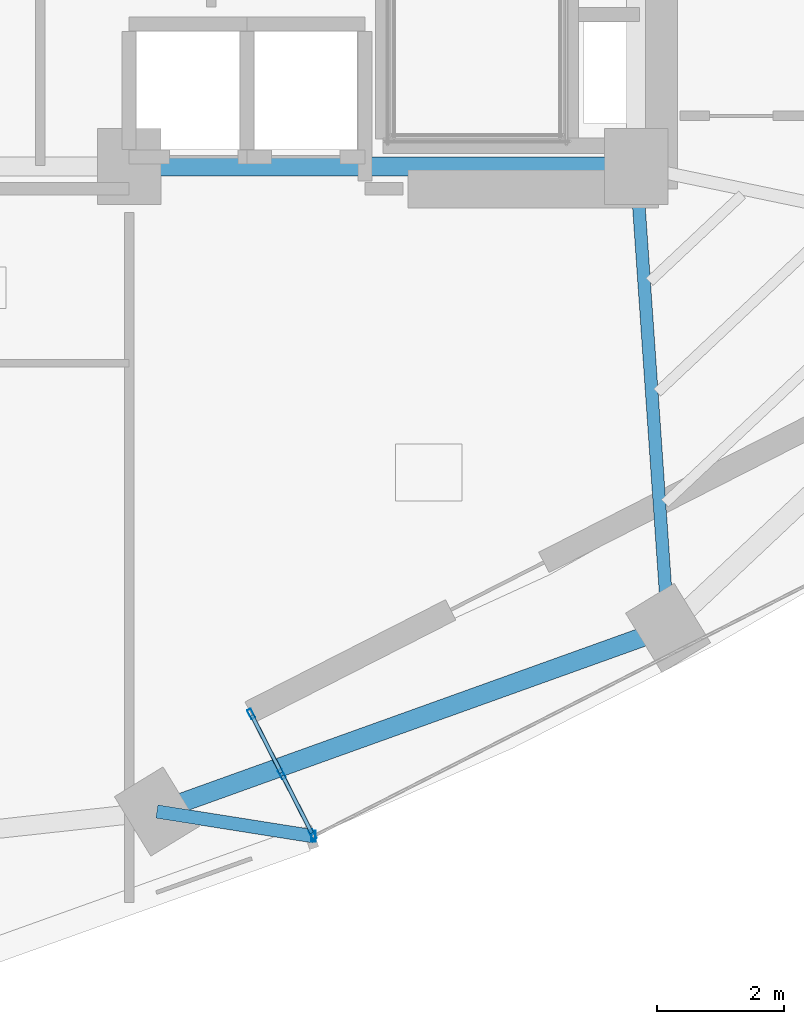
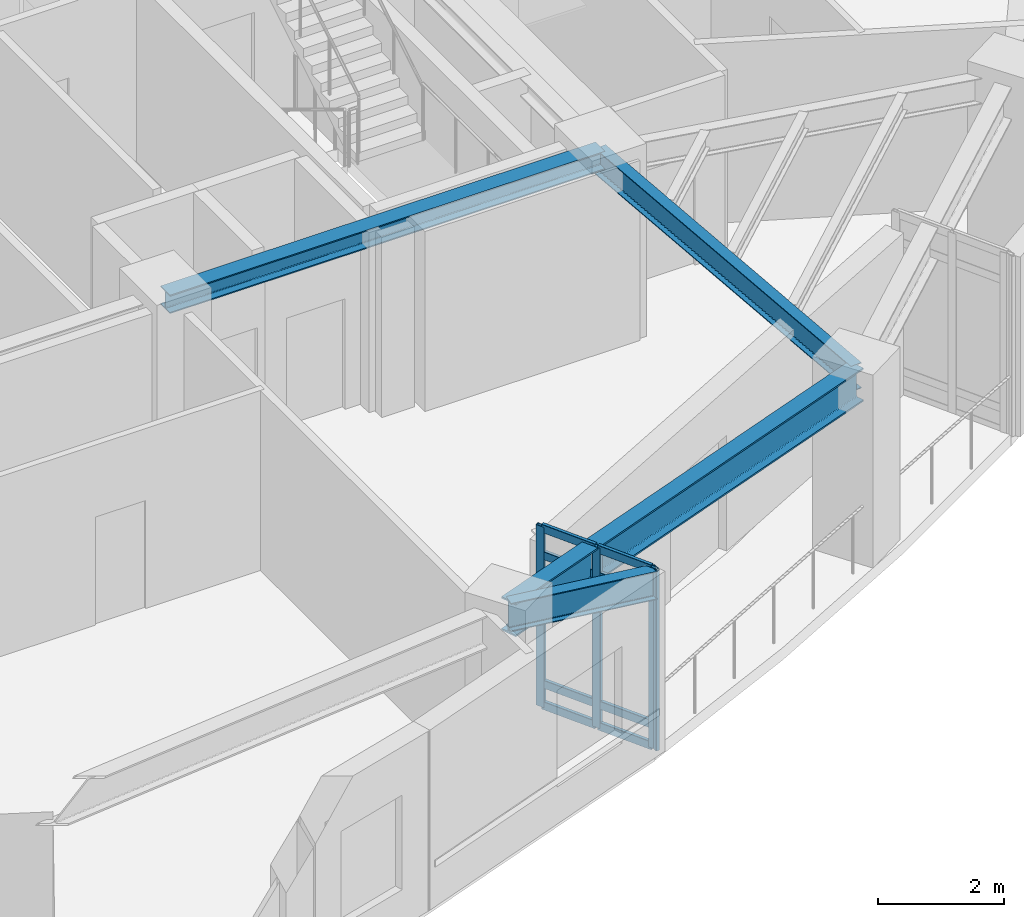
# One storey, part 2 of 11: 12 members, 4 beams, 1 element without a shape of its own.
"""IFC4 building model written with IfcOpenShell, lengths in metres."""

from ifc_helpers import new_model, si_unit, direction, frame, origin, origin_2d, place, context, subcontext, project, spatial, hollow_rectangle, i_section, extrude, material, layer, layer_set, material_profile, profile_set, type_object, element, aggregate, save


model = new_model("IFC4")

# Units and contexts
model_context = context("Model", 3, precision=1e-05, world=origin(), true_north=direction((0.0, 1.0)))
body_context = subcontext(model_context, "Body", "Model", "MODEL_VIEW")
ifc_project = project(units=[si_unit("LENGTHUNIT", "METRE"), si_unit("AREAUNIT", "SQUARE_METRE"), si_unit("VOLUMEUNIT", "CUBIC_METRE"), si_unit("PLANEANGLEUNIT", "RADIAN"), si_unit("MASSUNIT", "GRAM", prefix="KILO")], contexts=[model_context])

# Site, building, storey
site_placement = place(None, origin())
site = spatial("IfcSite", under=ifc_project, at=site_placement, CompositionType="ELEMENT")
building_placement = place(site_placement, origin())
building = spatial("IfcBuilding", under=site, at=building_placement, Name="Ndelora Gate Hotel", CompositionType="ELEMENT")
storey_placement = place(building_placement, frame((0.0, 0.0, 116.0)))
storey = spatial("IfcBuildingStorey", under=building, at=storey_placement, Name="L28", CompositionType="ELEMENT", Elevation=116.0)

# Beams
ifc_material_1 = material(Name="Steel S355", Category="steel")
ifc_material_profile_1 = material_profile(ifc_material_1, i_section(OverallWidth=0.300048828125, OverallDepth=0.360107421875, WebThickness=0.012451171875, FlangeThickness=0.0224609375, FilletRadius=0.027099609375, at=origin_2d()), Name="HEB 360")
ifc_profile_set_1 = profile_set([ifc_material_profile_1], Name="Steel S355")
beam_type_1 = type_object("IfcBeamType", Name="BM-CORE-360", PredefinedType="BEAM", material=ifc_profile_set_1)
beam_1_placement = place(storey_placement, frame((0.0, -6.60009765625, 3.320068359375), z_axis=(1.0, 0.0, 0.0), x_axis=(0.0, 1.0, 0.0)))
element("IfcBeam", 1, at=beam_1_placement, inside=storey, type_object=beam_type_1, Name="L28 Core Tie Girder CC2-CC3", PredefinedType="BEAM", context=body_context, shape_type="SweptSolid", body=[
    extrude(i_section(OverallWidth=0.300048828125, OverallDepth=0.360107421875, WebThickness=0.012451171875, FlangeThickness=0.0224609375, FilletRadius=0.027099609375, at=origin_2d()), origin(), (0.0, 0.0, 1.0), 8.0),
])
ifc_material_profile_2 = material_profile(ifc_material_1, i_section(OverallWidth=0.199951171875, OverallDepth=0.5, WebThickness=0.01025390625, FlangeThickness=0.01611328125, FilletRadius=0.02099609375, at=origin_2d()), Name="IPE 500")
ifc_profile_set_2 = profile_set([ifc_material_profile_2], Name="Steel S355")
beam_type_2 = type_object("IfcBeamType", Name="BM-RAD-500", PredefinedType="BEAM", material=ifc_profile_set_2)
beam_2_placement = place(storey_placement, frame((8.0, -6.60009765625, 3.25), z_axis=(0.069137444551, -0.997607144001, 0.0), x_axis=(0.997607144001, 0.069137444551, 0.0)))
element("IfcBeam", 2, at=beam_2_placement, inside=storey, type_object=beam_type_2, Name="L28 Radial Floor Girder 7", PredefinedType="BEAM", context=body_context, shape_type="SweptSolid", body=[
    extrude(i_section(OverallWidth=0.199951171875, OverallDepth=0.5, WebThickness=0.01025390625, FlangeThickness=0.01611328125, FilletRadius=0.02099609375, at=origin_2d()), origin(), (0.0, 0.0, 1.0), 7.295654296875),
])
ifc_material_profile_3 = material_profile(ifc_material_1, i_section(OverallWidth=0.2099609375, OverallDepth=0.550048828125, WebThickness=0.010986328125, FlangeThickness=0.01708984375, FilletRadius=0.02392578125, at=origin_2d()), Name="IPE 550")
ifc_profile_set_3 = profile_set([ifc_material_profile_3], Name="Steel S355")
beam_type_3 = type_object("IfcBeamType", Name="BM-RAD-550", PredefinedType="BEAM", material=ifc_profile_set_3)
beam_3_placement = place(storey_placement, frame((0.439208984375, -16.7744140625, 3.22509765625), z_axis=(0.987718613868, -0.156243207272, 0.0), x_axis=(0.156243207272, 0.987718613868, 0.0)))
element("IfcBeam", 3, at=beam_3_placement, inside=storey, type_object=beam_type_3, Name="L28 Sky-Garden Loggia Column Bracket 1", PredefinedType="BEAM", context=body_context, shape_type="SweptSolid", body=[
    extrude(i_section(OverallWidth=0.2099609375, OverallDepth=0.550048828125, WebThickness=0.010986328125, FlangeThickness=0.01708984375, FilletRadius=0.02392578125, at=origin_2d()), origin(), (0.0, 0.0, 1.0), 2.501708984375),
])
ifc_material_profile_4 = material_profile(ifc_material_1, i_section(OverallWidth=0.300048828125, OverallDepth=0.64990234375, WebThickness=0.01611328125, FlangeThickness=0.031005859375, FilletRadius=0.027099609375, at=origin_2d()), Name="HEB 650")
ifc_profile_set_4 = profile_set([ifc_material_profile_4], Name="Steel S355")
beam_type_4 = type_object("IfcBeamType", Name="BM-RING-650", PredefinedType="SPANDREL", material=ifc_profile_set_4)
beam_4_placement = place(storey_placement, frame((0.439208984375, -16.7744140625, 3.175048828125), z_axis=(0.941155870835, 0.337972819607, 0.0), x_axis=(-0.337972819607, 0.941155870835, 0.0)))
element("IfcBeam", 4, at=beam_4_placement, inside=storey, type_object=beam_type_4, Name="L28 Perimeter Spandrel Girder 6", PredefinedType="SPANDREL", context=body_context, shape_type="SweptSolid", body=[
    extrude(i_section(OverallWidth=0.300048828125, OverallDepth=0.64990234375, WebThickness=0.01611328125, FlangeThickness=0.031005859375, FilletRadius=0.027099609375, at=origin_2d()), origin(), (0.0, 0.0, 1.0), 8.5693359375),
])

# Curtain wall, members
ifc_material_2 = material(Name="Bronze Anodised Unitised Aluminium and Low-E Glass", Category="aluminium")
ifc_layer = layer(ifc_material_2, 0.199951171875)
ifc_layer_set = layer_set([ifc_layer], Name="Bronze Anodised Unitised Aluminium and Low-E Glass")
curtain_wall_type = type_object("IfcCurtainWallType", Name="CW-SYS-3", PredefinedType="NOTDEFINED", material=ifc_layer_set)
curtain_wall_placement = place(storey_placement, origin())
curtain_wall = element("IfcCurtainWall", 5, at=curtain_wall_placement, inside=storey, type_object=curtain_wall_type, Name="L28 Sky-Garden Loggia Side Curtain Wall CW3-1", PredefinedType="NOTDEFINED")
ifc_material_3 = material(Name="Bronze Anodised Aluminium 6063-T6", Category="aluminium")
ifc_material_profile_5 = material_profile(ifc_material_3, hollow_rectangle(XDim=0.06494140625, YDim=0.159912109375, WallThickness=0.00390625, InnerFilletRadius=0.00390625, OuterFilletRadius=0.008056640625, at=origin_2d()), Name="ALU 160x65x4")
ifc_profile_set_5 = profile_set([ifc_material_profile_5], Name="Bronze Anodised Aluminium 6063-T6")
member_type_1 = type_object("IfcMemberType", Name="MB-CW-MUL150", PredefinedType="MULLION", material=ifc_profile_set_5)
member_1_placement = place(storey_placement, frame((1.926025390625, -15.234130859375, -0.00390625), z_axis=(0.0, 0.0, 1.0), x_axis=(0.891001336507, 0.454000680995, 0.0)))
member_1 = element("IfcMember", 6, at=member_1_placement, type_object=member_type_1, Name="CW3 mullion 1", PredefinedType="MULLION", context=body_context, shape_type="SweptSolid", body=[
    extrude(hollow_rectangle(XDim=0.06494140625, YDim=0.159912109375, WallThickness=0.00390625, InnerFilletRadius=0.00390625, OuterFilletRadius=0.008056640625, at=origin_2d()), origin(), (0.0, 0.0, 1.0), 3.5078125),
])
member_2_placement = place(storey_placement, frame((2.41064453125, -16.185302734375, -0.00390625), z_axis=(0.0, 0.0, 1.0), x_axis=(0.891001336507, 0.454000680995, 0.0)))
member_2 = element("IfcMember", 7, at=member_2_placement, type_object=member_type_1, Name="CW3 mullion 2", PredefinedType="MULLION", context=body_context, shape_type="SweptSolid", body=[
    extrude(hollow_rectangle(XDim=0.06494140625, YDim=0.159912109375, WallThickness=0.00390625, InnerFilletRadius=0.00390625, OuterFilletRadius=0.008056640625, at=origin_2d()), origin(), (0.0, 0.0, 1.0), 3.5078125),
])
member_3_placement = place(storey_placement, frame((2.895263671875, -17.136474609375, -0.00390625), z_axis=(0.0, 0.0, 1.0), x_axis=(0.891001336507, 0.454000680995, 0.0)))
member_3 = element("IfcMember", 8, at=member_3_placement, type_object=member_type_1, Name="CW3 mullion 3", PredefinedType="MULLION", context=body_context, shape_type="SweptSolid", body=[
    extrude(hollow_rectangle(XDim=0.06494140625, YDim=0.159912109375, WallThickness=0.00390625, InnerFilletRadius=0.00390625, OuterFilletRadius=0.008056640625, at=origin_2d()), origin(), (0.0, 0.0, 1.0), 3.5078125),
])
ifc_material_profile_6 = material_profile(ifc_material_3, hollow_rectangle(XDim=0.070068359375, YDim=0.179931640625, WallThickness=0.0048828125, InnerFilletRadius=0.0048828125, OuterFilletRadius=0.010009765625, at=origin_2d()), Name="ALU 180x70x5")
ifc_profile_set_6 = profile_set([ifc_material_profile_6], Name="Bronze Anodised Aluminium 6063-T6")
member_type_2 = type_object("IfcMemberType", Name="MB-CW-MUL180", PredefinedType="MULLION", material=ifc_profile_set_6)
member_4_placement = place(storey_placement, frame((2.91015625, -17.165283203125, 0.0), z_axis=(0.0, 0.0, 1.0), x_axis=(1.0, 0.0, 0.0)))
member_4 = element("IfcMember", 9, at=member_4_placement, type_object=member_type_2, Name="L28 Sky-Garden Loggia Corner Mullion Post 1", PredefinedType="MULLION", context=body_context, shape_type="SweptSolid", body=[
    extrude(hollow_rectangle(XDim=0.070068359375, YDim=0.179931640625, WallThickness=0.0048828125, InnerFilletRadius=0.0048828125, OuterFilletRadius=0.010009765625, at=origin_2d()), origin(), (0.0, 0.0, 1.0), 3.5),
])
ifc_material_profile_7 = material_profile(ifc_material_3, hollow_rectangle(XDim=0.06494140625, YDim=0.159912109375, WallThickness=0.00390625, InnerFilletRadius=0.00390625, OuterFilletRadius=0.008056640625, at=origin_2d()), Name="ALU 160x65x4")
ifc_profile_set_7 = profile_set([ifc_material_profile_7], Name="Bronze Anodised Aluminium 6063-T6")
member_type_3 = type_object("IfcMemberType", Name="MB-CW-TRN150", PredefinedType="USERDEFINED", material=ifc_profile_set_7)
member_5_placement = place(storey_placement, frame((1.93798828125, -15.2578125, 0.032470703125), z_axis=(0.454131264886, -0.890934786756, 0.0), x_axis=(0.890934786756, 0.454131264886, 0.0)))
member_5 = element("IfcMember", 10, at=member_5_placement, type_object=member_type_3, Name="CW3 transom 1.1", ObjectType="TRANSOM", PredefinedType="USERDEFINED", context=body_context, shape_type="SweptSolid", body=[
    extrude(hollow_rectangle(XDim=0.06494140625, YDim=0.159912109375, WallThickness=0.00390625, InnerFilletRadius=0.00390625, OuterFilletRadius=0.008056640625, at=origin_2d()), origin(), (0.0, 0.0, 1.0), 1.014404296875),
])
member_6_placement = place(storey_placement, frame((1.93798828125, -15.2578125, 0.449951171875), z_axis=(0.454131264886, -0.890934786756, 0.0), x_axis=(0.890934786756, 0.454131264886, 0.0)))
member_6 = element("IfcMember", 11, at=member_6_placement, type_object=member_type_3, Name="CW3 transom 1.2", ObjectType="TRANSOM", PredefinedType="USERDEFINED", context=body_context, shape_type="SweptSolid", body=[
    extrude(hollow_rectangle(XDim=0.06494140625, YDim=0.159912109375, WallThickness=0.00390625, InnerFilletRadius=0.00390625, OuterFilletRadius=0.008056640625, at=origin_2d()), origin(), (0.0, 0.0, 1.0), 1.014404296875),
])
member_7_placement = place(storey_placement, frame((1.93798828125, -15.2578125, 2.949951171875), z_axis=(0.454131264886, -0.890934786756, 0.0), x_axis=(0.890934786756, 0.454131264886, 0.0)))
member_7 = element("IfcMember", 12, at=member_7_placement, type_object=member_type_3, Name="CW3 transom 1.3", ObjectType="TRANSOM", PredefinedType="USERDEFINED", context=body_context, shape_type="SweptSolid", body=[
    extrude(hollow_rectangle(XDim=0.06494140625, YDim=0.159912109375, WallThickness=0.00390625, InnerFilletRadius=0.00390625, OuterFilletRadius=0.008056640625, at=origin_2d()), origin(), (0.0, 0.0, 1.0), 1.014404296875),
])
member_8_placement = place(storey_placement, frame((1.93798828125, -15.2578125, 3.467529296875), z_axis=(0.454131264886, -0.890934786756, 0.0), x_axis=(0.890934786756, 0.454131264886, 0.0)))
member_8 = element("IfcMember", 13, at=member_8_placement, type_object=member_type_3, Name="CW3 transom 1.4", ObjectType="TRANSOM", PredefinedType="USERDEFINED", context=body_context, shape_type="SweptSolid", body=[
    extrude(hollow_rectangle(XDim=0.06494140625, YDim=0.159912109375, WallThickness=0.00390625, InnerFilletRadius=0.00390625, OuterFilletRadius=0.008056640625, at=origin_2d()), origin(), (0.0, 0.0, 1.0), 1.014404296875),
])
member_9_placement = place(storey_placement, frame((2.4228515625, -16.208984375, 0.032470703125), z_axis=(0.453940203675, -0.891032149525, 0.0), x_axis=(0.891032149525, 0.453940203675, 0.0)))
member_9 = element("IfcMember", 14, at=member_9_placement, type_object=member_type_3, Name="CW3 transom 2.1", ObjectType="TRANSOM", PredefinedType="USERDEFINED", context=body_context, shape_type="SweptSolid", body=[
    extrude(hollow_rectangle(XDim=0.06494140625, YDim=0.159912109375, WallThickness=0.00390625, InnerFilletRadius=0.00390625, OuterFilletRadius=0.008056640625, at=origin_2d()), origin(), (0.0, 0.0, 1.0), 1.014404296875),
])
member_10_placement = place(storey_placement, frame((2.4228515625, -16.208984375, 0.449951171875), z_axis=(0.453940203675, -0.891032149525, 0.0), x_axis=(0.891032149525, 0.453940203675, 0.0)))
member_10 = element("IfcMember", 15, at=member_10_placement, type_object=member_type_3, Name="CW3 transom 2.2", ObjectType="TRANSOM", PredefinedType="USERDEFINED", context=body_context, shape_type="SweptSolid", body=[
    extrude(hollow_rectangle(XDim=0.06494140625, YDim=0.159912109375, WallThickness=0.00390625, InnerFilletRadius=0.00390625, OuterFilletRadius=0.008056640625, at=origin_2d()), origin(), (0.0, 0.0, 1.0), 1.014404296875),
])
member_11_placement = place(storey_placement, frame((2.4228515625, -16.208984375, 2.949951171875), z_axis=(0.453940203675, -0.891032149525, 0.0), x_axis=(0.891032149525, 0.453940203675, 0.0)))
member_11 = element("IfcMember", 16, at=member_11_placement, type_object=member_type_3, Name="CW3 transom 2.3", ObjectType="TRANSOM", PredefinedType="USERDEFINED", context=body_context, shape_type="SweptSolid", body=[
    extrude(hollow_rectangle(XDim=0.06494140625, YDim=0.159912109375, WallThickness=0.00390625, InnerFilletRadius=0.00390625, OuterFilletRadius=0.008056640625, at=origin_2d()), origin(), (0.0, 0.0, 1.0), 1.014404296875),
])
member_12_placement = place(storey_placement, frame((2.4228515625, -16.208984375, 3.467529296875), z_axis=(0.453940203675, -0.891032149525, 0.0), x_axis=(0.891032149525, 0.453940203675, 0.0)))
member_12 = element("IfcMember", 17, at=member_12_placement, type_object=member_type_3, Name="CW3 transom 2.4", ObjectType="TRANSOM", PredefinedType="USERDEFINED", context=body_context, shape_type="SweptSolid", body=[
    extrude(hollow_rectangle(XDim=0.06494140625, YDim=0.159912109375, WallThickness=0.00390625, InnerFilletRadius=0.00390625, OuterFilletRadius=0.008056640625, at=origin_2d()), origin(), (0.0, 0.0, 1.0), 1.014404296875),
])
aggregate(curtain_wall, [member_1, member_2, member_3, member_5, member_6, member_7, member_8, member_9, member_10, member_11, member_12, member_4])

save(model, "model.ifc")
